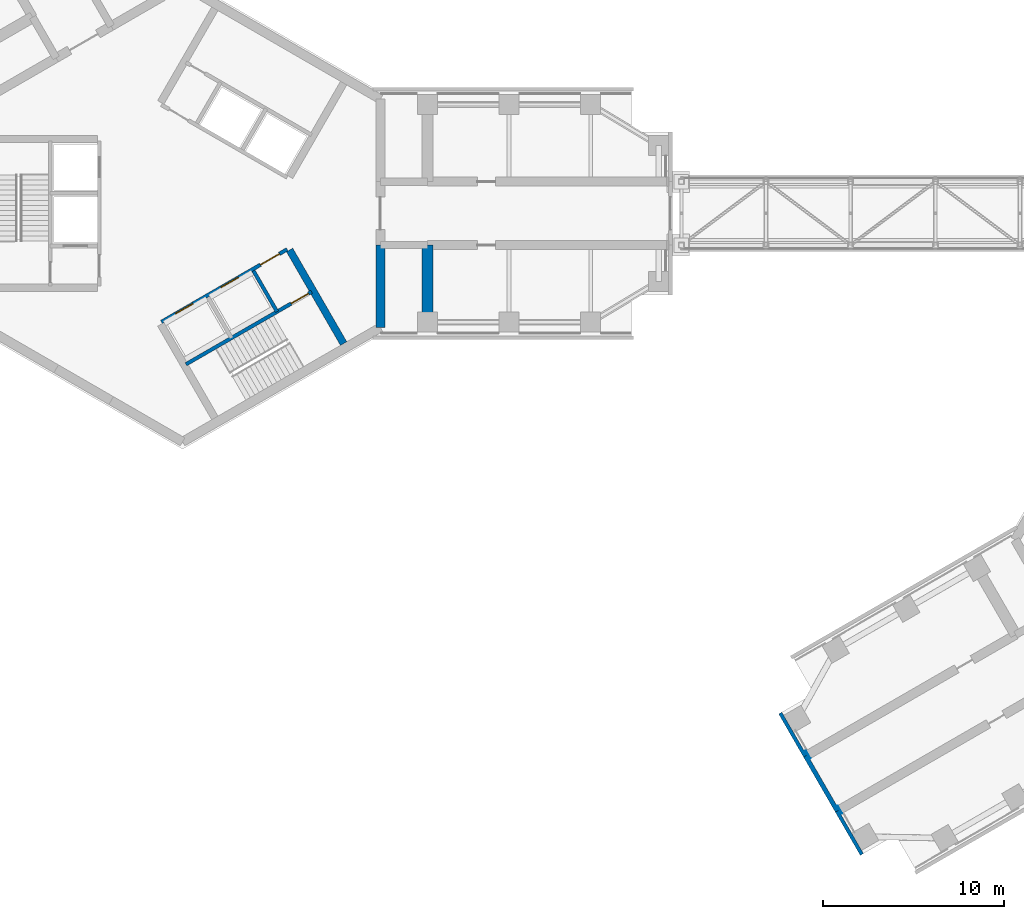
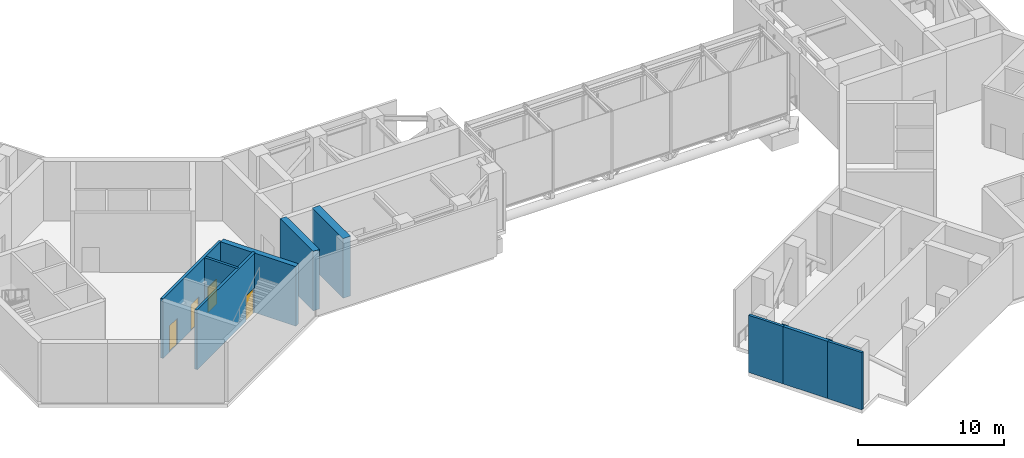
# One storey, part 7 of 15: 11 walls, 4 doors, 4 openings.
"""IFC4 building model written with IfcOpenShell, lengths in metres."""

from ifc_helpers import new_model, si_unit, direction, frame, frame_2d, origin, place, context, subcontext, project, spatial, rectangle, extrude, material, layer, layer_set, type_object, element, fill, save


model = new_model("IFC4")

# Units and contexts
model_context = context("Model", 3, precision=1e-05, world=origin(), true_north=direction((0.0, 1.0)))
body_context = subcontext(model_context, "Body", "Model", "MODEL_VIEW")
ifc_project = project(units=[si_unit("LENGTHUNIT", "METRE"), si_unit("AREAUNIT", "SQUARE_METRE"), si_unit("VOLUMEUNIT", "CUBIC_METRE"), si_unit("PLANEANGLEUNIT", "RADIAN"), si_unit("MASSUNIT", "GRAM", prefix="KILO")], contexts=[model_context])

# Site, building, storey
site_placement = place(None, origin())
site = spatial("IfcSite", under=ifc_project, at=site_placement, CompositionType="ELEMENT")
building_placement = place(site_placement, origin())
building = spatial("IfcBuilding", under=site, at=building_placement, Name="Upepo Twin Towers", CompositionType="ELEMENT")
storey_placement = place(building_placement, frame((0.0, 0.0, 238.5)))
storey = spatial("IfcBuildingStorey", under=building, at=storey_placement, Name="L58", CompositionType="ELEMENT", Elevation=238.5)

# Walls
ifc_material_1 = material(Name="Precast concrete breeze blocks", Category="concrete")
ifc_layer_1 = layer(ifc_material_1, 0.199951171875)
ifc_layer_set_1 = layer_set([ifc_layer_1], Name="Breeze-block screen wall 200")
wall_type_1 = type_object("IfcWallType", Name="Breeze-block screen wall 200", PredefinedType="USERDEFINED", material=ifc_layer_set_1)
for number, where, z_axis, x_axis, name in (
    (1, (32.953857421875, -27.552978515625, 0.0), (0.0, 0.0, 1.0), (0.499996545922, -0.866027397988, 0.0), "T2 L58 wing B nose screen 0"),
    (2, (36.078857421875, -32.965576171875, 0.0), (0.0, 0.0, 1.0), (0.499996545922, -0.866027397988, 0.0), "T2 L58 wing B nose screen 2"),
):
    element("IfcWall", number, at=place(storey_placement, frame(where, z_axis=z_axis, x_axis=x_axis)), inside=storey, type_object=wall_type_1, Name=name, ObjectType="SCREEN", PredefinedType="USERDEFINED", context=body_context, shape_type="SweptSolid", body=[
        extrude(rectangle(XDim=2.75, YDim=0.199951171875, at=frame_2d((1.375, 0.0))), origin(), (0.0, 0.0, 1.0), 4.800048828125),
    ])
ifc_material_2 = material(Name="Dense concrete blockwork", Category="masonry")
ifc_layer_2 = layer(ifc_material_2, 0.5)
ifc_layer_set_2 = layer_set([ifc_layer_2], Name="Buttress closer 500, blockwork with fire-stopping to the curtain wall")
wall_type_2 = type_object("IfcWallType", Name="Buttress closer 500, blockwork with fire-stopping to the curtain wall", PredefinedType="PARTITIONING", material=ifc_layer_set_2)
wall_1_placement = place(storey_placement, frame((36.252197265625, -32.865478515625, 0.0), z_axis=(0.0, 0.0, 1.0), x_axis=(-0.86553723574, -0.500844580232, 0.0)))
element("IfcWall", 3, at=wall_1_placement, inside=storey, type_object=wall_type_2, Name="T2 L58 wing B buttress closer L", PredefinedType="PARTITIONING", context=body_context, shape_type="SweptSolid", body=[
    extrude(rectangle(XDim=0.05029296875, YDim=0.5, at=frame_2d((0.025146484375, 0.0))), origin(), (0.0, 0.0, 1.0), 4.800048828125),
])
wall_2_placement = place(storey_placement, frame((34.502197265625, -29.83447265625, 0.0), z_axis=(0.0, 0.0, 1.0), x_axis=(-0.867642581652, -0.497188445666, 0.0)))
element("IfcWall", 4, at=wall_2_placement, inside=storey, type_object=wall_type_2, Name="T2 L58 wing B buttress closer R", PredefinedType="PARTITIONING", context=body_context, shape_type="SweptSolid", body=[
    extrude(rectangle(XDim=0.050048828125, YDim=0.5, at=frame_2d((0.02490234375, 0.0))), origin(), (0.0, 0.0, 1.0), 4.800048828125),
])
ifc_material_3 = material(Name="Concrete C60/75", Category="concrete")
ifc_layer_3 = layer(ifc_material_3, 0.5)
ifc_layer_set_3 = layer_set([ifc_layer_3], Name="Concrete C60/75")
wall_type_3 = type_object("IfcWallType", Name="Core wall 500 RC", PredefinedType="SHEAR", material=ifc_layer_set_3)
wall_3_placement = place(storey_placement, frame((10.908447265625, -6.2978515625, 0.0), z_axis=(0.0, 0.0, 1.0), x_axis=(0.0, 1.0, 0.0)))
element("IfcWall", 5, at=wall_3_placement, inside=storey, type_object=wall_type_3, Name="T1 core wall 000 R", PredefinedType="SHEAR", context=body_context, shape_type="SweptSolid", body=[
    extrude(rectangle(XDim=4.5478515625, YDim=0.5, at=frame_2d((2.27392578125, 0.0))), origin(), (0.0, 0.0, 1.0), 5.0),
])
ifc_material_4 = material(Name="Blockwork with anodised aluminium cladding", Category="masonry")
ifc_layer_4 = layer(ifc_material_4, 0.25)
ifc_layer_set_4 = layer_set([ifc_layer_4], Name="Notch cladding wall 250, pale metal")
wall_type_4 = type_object("IfcWallType", Name="Notch cladding wall 250, pale metal", PredefinedType="STANDARD", material=ifc_layer_set_4)
wall_4_placement = place(storey_placement, frame((34.3505859375, -29.921875, 0.0), z_axis=(0.0, 0.0, 1.0), x_axis=(0.499980071345, -0.866036909293, 0.0)))
element("IfcWall", 6, at=wall_4_placement, inside=storey, type_object=wall_type_4, Name="T2 L58 wing B nose wall", PredefinedType="STANDARD", context=body_context, shape_type="SweptSolid", body=[
    extrude(rectangle(XDim=3.500244140625, YDim=0.25, at=frame_2d((1.75, 0.0))), origin(), (0.0, 0.0, 1.0), 4.800048828125),
])
ifc_material_5 = material(Name="Concrete C60/75", Category="concrete")
ifc_layer_5 = layer(ifc_material_5, 0.60009765625)
ifc_layer_set_5 = layer_set([ifc_layer_5], Name="Concrete C60/75")
wall_type_5 = type_object("IfcWallType", Name="Outrigger wall 600 RC", PredefinedType="SHEAR", material=ifc_layer_set_5)
wall_5_placement = place(storey_placement, frame((13.5, -1.75, 0.0), z_axis=(0.0, 0.0, 1.0), x_axis=(0.0, -1.0, 0.0)))
element("IfcWall", 7, at=wall_5_placement, inside=storey, type_object=wall_type_5, Name="T1 outrigger wall AR", PredefinedType="SHEAR", context=body_context, shape_type="SweptSolid", body=[
    extrude(rectangle(XDim=4.25, YDim=0.60009765625, at=frame_2d((2.125, 0.0))), origin(), (0.0, 0.0, 1.0), 5.0),
])

# Wall, openings, doors
ifc_material_6 = material(Name="Concrete C40/50", Category="concrete")
ifc_layer_6 = layer(ifc_material_6, 0.199951171875)
ifc_layer_set_6 = layer_set([ifc_layer_6], Name="Concrete C40/50")
wall_type_6 = type_object("IfcWallType", Name="Shaft wall 200 RC", PredefinedType="SHEAR", material=ifc_layer_set_6)
wall_6_placement = place(storey_placement, frame((-1.1640625, -5.983642578125, 0.0), z_axis=(0.0, 0.0, 1.0), x_axis=(0.866026010844, 0.49999894854, 0.0)))
wall_6 = element("IfcWall", 8, at=wall_6_placement, inside=storey, type_object=wall_type_6, Name="T1 core W300 front wall", PredefinedType="SHEAR", context=body_context, shape_type="SweptSolid", body=[
    extrude(rectangle(XDim=8.0, YDim=0.199951171875, at=frame_2d((4.0, 0.0))), origin(), (0.0, 0.0, 1.0), 5.0),
])
opening_1_placement = place(wall_6_placement, frame((6.300048828125, 0.0, 0.0)))
opening_1 = element("IfcOpeningElement", 9, at=opening_1_placement, cuts=wall_6, Name="Opening D4", PredefinedType="OPENING", context=body_context, shape_type="SweptSolid", body=[
    extrude(rectangle(XDim=1.199951171875, YDim=2.10009765625, at=frame_2d((0.60009765625, 1.050048828125))), frame((0.0, 0.10986328125, 0.0), z_axis=(0.0, -1.0, 0.0), x_axis=(1.0, 0.0, 0.0)), (0.0, 0.0, 1.0), 0.219970703125),
])
opening_2_placement = place(wall_6_placement, frame((0.89990234375, 0.0, 0.0)))
opening_2 = element("IfcOpeningElement", 10, at=opening_2_placement, cuts=wall_6, Name="Opening LD1", PredefinedType="OPENING", context=body_context, shape_type="SweptSolid", body=[
    extrude(rectangle(XDim=1.10009765625, YDim=2.199951171875, at=frame_2d((0.550048828125, 1.10009765625))), frame((0.0, 0.10986328125, 0.0), z_axis=(0.0, -1.0, 0.0), x_axis=(1.0, 0.0, 0.0)), (0.0, 0.0, 1.0), 0.219970703125),
])
opening_3_placement = place(wall_6_placement, frame((3.800048828125, 0.0, 0.0)))
opening_3 = element("IfcOpeningElement", 11, at=opening_3_placement, cuts=wall_6, Name="Opening LD1", PredefinedType="OPENING", context=body_context, shape_type="SweptSolid", body=[
    extrude(rectangle(XDim=1.10009765625, YDim=2.199951171875, at=frame_2d((0.550048828125, 1.10009765625))), frame((0.0, 0.10986328125, 0.0), z_axis=(0.0, -1.0, 0.0), x_axis=(1.0, 0.0, 0.0)), (0.0, 0.0, 1.0), 0.219970703125),
])
ifc_material_7 = material(Name="Steel doorset", Category="steel")
door_type_1 = type_object("IfcDoorType", Name="Lift landing door 1100", OperationType="DOUBLE_DOOR_SLIDING", PredefinedType="DOOR", material=ifc_material_7)
door_1_placement = place(opening_2_placement, origin())
door_1 = element("IfcDoor", 12, at=door_1_placement, inside=storey, type_object=door_type_1, Name="T1 L58 lift UL1 landing door", OperationType="DOUBLE_DOOR_SLIDING", OverallHeight=2.199951171875, OverallWidth=1.10009765625, PredefinedType="DOOR", context=body_context, shape_type="SweptSolid", body=[
    extrude(rectangle(XDim=1.10009765625, YDim=2.199951171875, at=frame_2d((0.550048828125, 1.10009765625))), frame((0.0, 0.02490234375, 0.0), z_axis=(0.0, -1.0, 0.0), x_axis=(1.0, 0.0, 0.0)), (0.0, 0.0, 1.0), 0.050048828125),
])
fill(opening_2, door_1)
door_2_placement = place(opening_3_placement, origin())
door_2 = element("IfcDoor", 13, at=door_2_placement, inside=storey, type_object=door_type_1, Name="T1 L58 lift UL2 landing door", OperationType="DOUBLE_DOOR_SLIDING", OverallHeight=2.199951171875, OverallWidth=1.10009765625, PredefinedType="DOOR", context=body_context, shape_type="SweptSolid", body=[
    extrude(rectangle(XDim=1.10009765625, YDim=2.199951171875, at=frame_2d((0.550048828125, 1.10009765625))), frame((0.0, 0.02490234375, 0.0), z_axis=(0.0, -1.0, 0.0), x_axis=(1.0, 0.0, 0.0)), (0.0, 0.0, 1.0), 0.050048828125),
])
fill(opening_3, door_2)
ifc_material_8 = material(Name="Timber doorset", Category="wood")
door_type_2 = type_object("IfcDoorType", Name="Lobby door 1200 FD60", OperationType="SINGLE_SWING_LEFT", PredefinedType="DOOR", material=ifc_material_8)
door_3_placement = place(opening_1_placement, origin())
door_3 = element("IfcDoor", 14, at=door_3_placement, inside=storey, type_object=door_type_2, Name="T1 L58 W300 lobby door", OperationType="SINGLE_SWING_RIGHT", OverallHeight=2.10009765625, OverallWidth=1.199951171875, PredefinedType="DOOR", context=body_context, shape_type="SweptSolid", body=[
    extrude(rectangle(XDim=1.199951171875, YDim=2.10009765625, at=frame_2d((0.60009765625, 1.050048828125))), frame((0.0, 0.02490234375, 0.0), z_axis=(0.0, -1.0, 0.0), x_axis=(1.0, 0.0, 0.0)), (0.0, 0.0, 1.0), 0.050048828125),
])
fill(opening_1, door_3)

# Wall
wall_7_placement = place(storey_placement, frame((3.908935546875, -3.17041015625, 0.0), z_axis=(0.0, 0.0, 1.0), x_axis=(0.49997716683, -0.86603858612, 0.0)))
element("IfcWall", 15, at=wall_7_placement, inside=storey, type_object=wall_type_6, Name="T1 core W300 lobby wall", PredefinedType="SHEAR", context=body_context, shape_type="SweptSolid", body=[
    extrude(rectangle(XDim=2.599609375, YDim=0.199951171875, at=frame_2d((1.2998046875, 0.0))), origin(), (0.0, 0.0, 1.0), 5.0),
])

# Wall, opening, door
wall_8_placement = place(storey_placement, frame((0.185791015625, -8.322021484375, 0.0), z_axis=(0.0, 0.0, 1.0), x_axis=(0.866026010844, 0.49999894854, 0.0)))
wall_8 = element("IfcWall", 16, at=wall_8_placement, inside=storey, type_object=wall_type_6, Name="T1 core W300 stair wall", PredefinedType="SHEAR", context=body_context, shape_type="SweptSolid", body=[
    extrude(rectangle(XDim=8.0, YDim=0.199951171875, at=frame_2d((4.0, 0.0))), origin(), (0.0, 0.0, 1.0), 5.0),
])
opening_4_placement = place(wall_8_placement, frame((6.699951171875, 0.0, 0.0)))
opening_4 = element("IfcOpeningElement", 17, at=opening_4_placement, cuts=wall_8, Name="Opening D3", PredefinedType="OPENING", context=body_context, shape_type="SweptSolid", body=[
    extrude(rectangle(XDim=1.10009765625, YDim=2.10009765625, at=frame_2d((0.550048828125, 1.050048828125))), frame((0.0, 0.10986328125, 0.0), z_axis=(0.0, -1.0, 0.0), x_axis=(1.0, 0.0, 0.0)), (0.0, 0.0, 1.0), 0.219970703125),
])
ifc_material_9 = material(Name="Timber doorset", Category="wood")
door_type_3 = type_object("IfcDoorType", Name="Stair door 1100 FD60", OperationType="SINGLE_SWING_LEFT", PredefinedType="DOOR", material=ifc_material_9)
door_4_placement = place(opening_4_placement, origin())
door_4 = element("IfcDoor", 18, at=door_4_placement, inside=storey, type_object=door_type_3, Name="T1 L58 stair door", OperationType="SINGLE_SWING_RIGHT", OverallHeight=2.10009765625, OverallWidth=1.10009765625, PredefinedType="DOOR", context=body_context, shape_type="SweptSolid", body=[
    extrude(rectangle(XDim=1.10009765625, YDim=2.10009765625, at=frame_2d((0.550048828125, 1.050048828125))), frame((0.0, 0.02490234375, 0.0), z_axis=(0.0, -1.0, 0.0), x_axis=(1.0, 0.0, 0.0)), (0.0, 0.0, 1.0), 0.050048828125),
])
fill(opening_4, door_4)

# Wall
ifc_material_10 = material(Name="Concrete C40/50", Category="concrete")
ifc_layer_7 = layer(ifc_material_10, 0.39990234375)
ifc_layer_set_7 = layer_set([ifc_layer_7], Name="Concrete C40/50")
wall_type_7 = type_object("IfcWallType", Name="Shaft wall 400 RC", PredefinedType="SHEAR", material=ifc_layer_set_7)
wall_9_placement = place(storey_placement, frame((5.900634765625, -2.020263671875, 0.0), z_axis=(0.0, 0.0, 1.0), x_axis=(0.500003832394, -0.86602319114, 0.0)))
element("IfcWall", 19, at=wall_9_placement, inside=storey, type_object=wall_type_7, Name="T1 core W300 side wall N", PredefinedType="SHEAR", context=body_context, shape_type="SweptSolid", body=[
    extrude(rectangle(XDim=5.95849609375, YDim=0.39990234375, at=frame_2d((2.979248046875, 0.0))), origin(), (0.0, 0.0, 1.0), 5.0),
])

save(model, "model.ifc")
